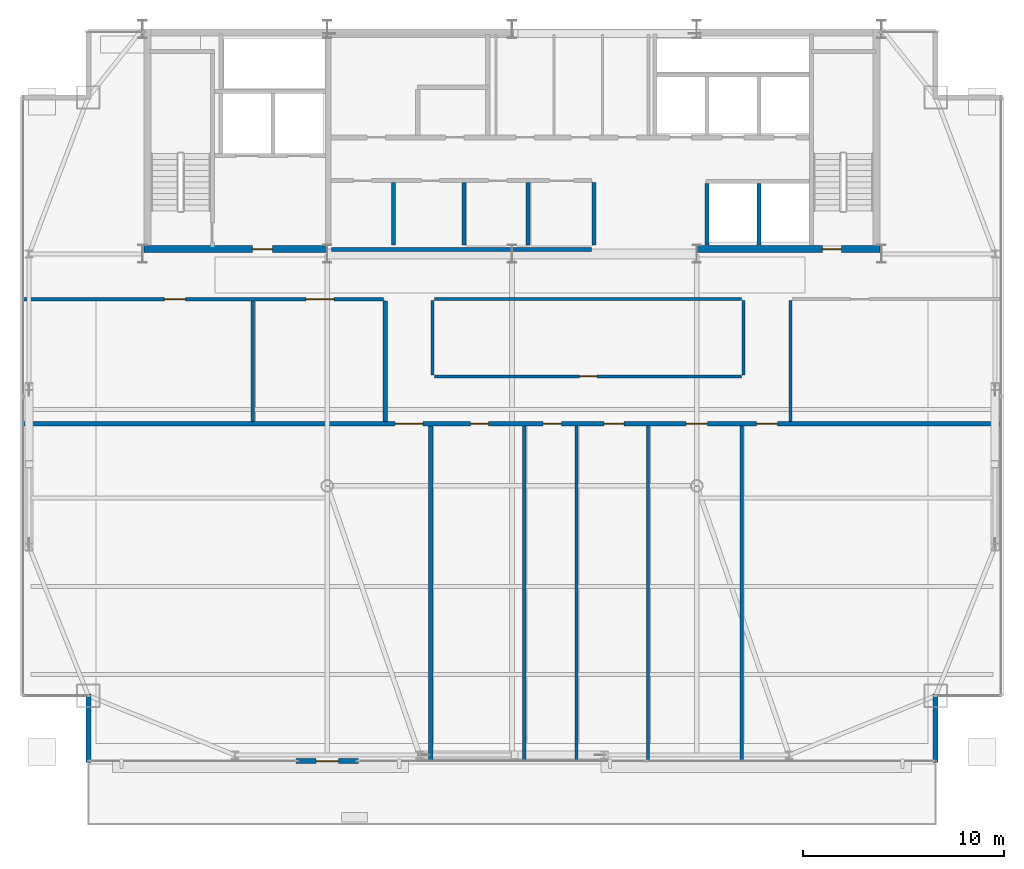
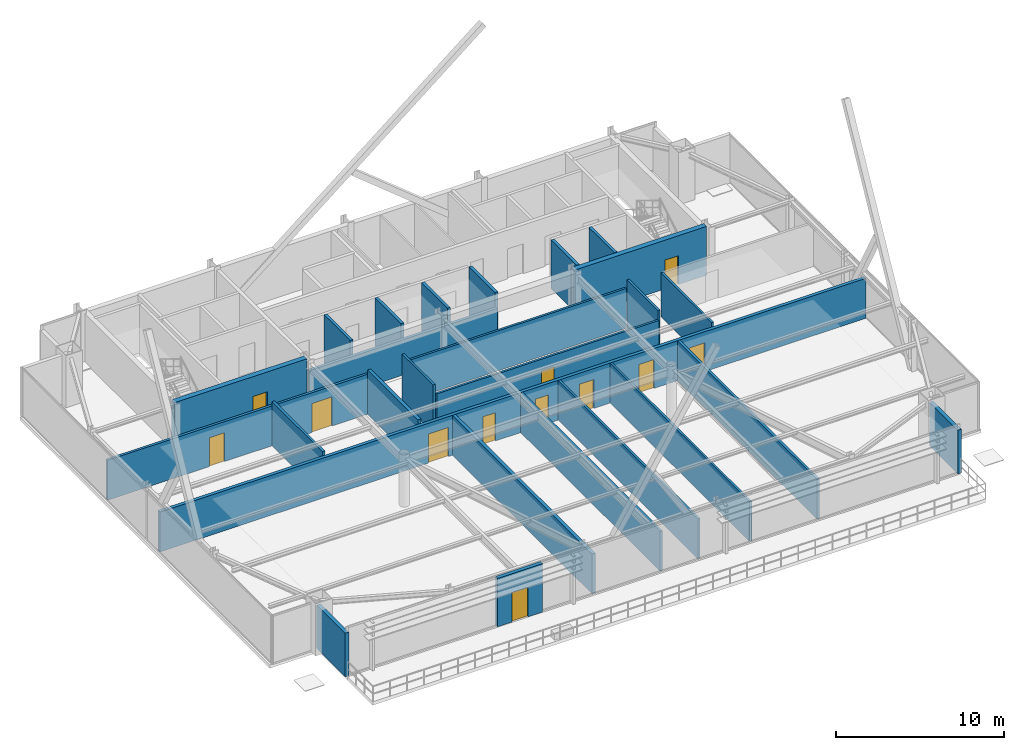
# One storey, part 28 of 33: 26 walls, 12 doors, 12 openings.
"""IFC4 building model written with IfcOpenShell, lengths in metres."""

from ifc_helpers import new_model, si_unit, direction, frame, frame_2d, origin, place, context, subcontext, project, spatial, rectangle, extrude, source, transform, mapped, material, layer, layer_set, type_object, type_shapes, element, fill, save


model = new_model("IFC4")

# Units and contexts
model_context = context("Model", 3, precision=1e-05, world=origin(), true_north=direction((0.0, 1.0)))
body_context = subcontext(model_context, "Body", "Model", "MODEL_VIEW")
ifc_project = project(units=[si_unit("LENGTHUNIT", "METRE"), si_unit("AREAUNIT", "SQUARE_METRE"), si_unit("VOLUMEUNIT", "CUBIC_METRE"), si_unit("PLANEANGLEUNIT", "RADIAN"), si_unit("MASSUNIT", "GRAM", prefix="KILO")], contexts=[model_context])

# Site, building, storey
site_placement = place(None, origin())
site = spatial("IfcSite", under=ifc_project, at=site_placement, CompositionType="ELEMENT")
building_placement = place(site_placement, origin())
building = spatial("IfcBuilding", under=site, at=building_placement, Name="Varnel Quay Broadcast Tower", CompositionType="ELEMENT")
storey_placement = place(building_placement, frame((0.0, 0.0, 199.800048828125)))
storey = spatial("IfcBuildingStorey", under=building, at=storey_placement, Name="L49", CompositionType="ELEMENT", Elevation=199.800048828125)

# Walls
ifc_material_1 = material(Name="Concrete CSA A23.3 C50/60", Category="concrete")
ifc_layer_1 = layer(ifc_material_1, 0.199951171875, Name="Concrete CSA A23.3 C50/60")
ifc_layer_set_1 = layer_set([ifc_layer_1], Name="Concrete CSA A23.3 C50/60")
wall_type_1 = type_object("IfcWallType", Name="Wall_CoreShaftShear200", PredefinedType="SHEAR", material=ifc_layer_set_1)
for number, where, z_axis, x_axis, name in (
    (1, (43.699951171875, 36.050048828125, 0.0), (0.0, 0.0, 1.0), (0.0, 1.0, 0.0), "L49 Express Lift Shaft West Wall"),
    (2, (46.300048828125, 36.050048828125, 0.0), (0.0, 0.0, 1.0), (0.0, 1.0, 0.0), "L49 Express Lift Shaft Divider"),
):
    element("IfcWall", number, at=place(storey_placement, frame(where, z_axis=z_axis, x_axis=x_axis)), inside=storey, type_object=wall_type_1, Name=name, PredefinedType="SHEAR", context=body_context, shape_type="SweptSolid", body=[
        extrude(rectangle(XDim=3.050048828125, YDim=0.199951171875, at=frame_2d((1.52490234375, 0.0))), origin(), (0.0, 0.0, 1.0), 3.550048828125),
    ])

# Wall, opening, door
ifc_layer_2 = layer(ifc_material_1, 0.35009765625, Name="Concrete CSA A23.3 C50/60")
ifc_layer_set_2 = layer_set([ifc_layer_2], Name="Concrete CSA A23.3 C50/60")
wall_type_2 = type_object("IfcWallType", Name="Wall_CoreShearInt350", PredefinedType="SHEAR", material=ifc_layer_set_2)
wall_1_placement = place(storey_placement, frame((15.669921875, 35.844970703125, 0.0), z_axis=(0.0, 0.0, 1.0), x_axis=(1.0, 0.0, 0.0)))
wall_1 = element("IfcWall", 3, at=wall_1_placement, inside=storey, type_object=wall_type_2, Name="L49 South-West Core Shear Wall", PredefinedType="SHEAR", context=body_context, shape_type="SweptSolid", body=[
    extrude(rectangle(XDim=9.130126953125, YDim=0.35009765625, at=frame_2d((4.56494140625, 0.0))), origin(), (0.0, 0.0, 1.0), 3.550048828125),
])
opening_1_placement = place(wall_1_placement, frame((5.39990234375, 0.0, 0.0)))
opening_1 = element("IfcOpeningElement", 4, at=opening_1_placement, cuts=wall_1, Name="Opening D-L49-FFL", PredefinedType="OPENING", context=body_context, shape_type="SweptSolid", body=[
    extrude(rectangle(XDim=1.0, YDim=2.10009765625, at=frame_2d((0.5, 1.050048828125))), frame((0.0, 0.18505859375, 0.0), z_axis=(0.0, -1.0, 0.0), x_axis=(1.0, 0.0, 0.0)), (0.0, 0.0, 1.0), 0.3701171875),
])
ifc_material_2 = material(Name="Insulated Fire-Rated Hollow Steel Door", Category="steel")
door_type_1 = type_object("IfcDoorType", Name="Door_FireLobby1000", OperationType="NOTDEFINED", PredefinedType="DOOR", material=ifc_material_2)
shared_shape_1 = source(origin(), body_context, "Body", "SweptSolid", [
    extrude(rectangle(XDim=1.0, YDim=2.10009765625, at=frame_2d((0.5, 1.050048828125))), frame((0.0, 0.02490234375, 0.0), z_axis=(0.0, -1.0, 0.0), x_axis=(1.0, 0.0, 0.0)), (0.0, 0.0, 1.0), 0.050048828125),
])
type_shapes(door_type_1, [shared_shape_1])
door_1_placement = place(opening_1_placement, origin())
door_1 = element("IfcDoor", 5, at=door_1_placement, inside=storey, type_object=door_type_1, Name="L49 Firefighting Lobby Door", OperationType="SINGLE_SWING_RIGHT", OverallHeight=2.10009765625, OverallWidth=1.0, PredefinedType="DOOR", context=body_context, shape_type="MappedRepresentation", body=[
    mapped(shared_shape_1, transform((0.0, 0.0, 0.0), x_axis=(1.0, 0.0, 0.0), y_axis=(0.0, 1.0, 0.0), z_axis=(0.0, 0.0, 1.0), scale=1.0)),
])
fill(opening_1, door_1)

wall_2_placement = place(storey_placement, frame((43.199951171875, 35.844970703125, 0.0), z_axis=(0.0, 0.0, 1.0), x_axis=(1.0, 0.0, 0.0)))
wall_2 = element("IfcWall", 6, at=wall_2_placement, inside=storey, type_object=wall_type_2, Name="L49 South-East Core Shear Wall", PredefinedType="SHEAR", context=body_context, shape_type="SweptSolid", body=[
    extrude(rectangle(XDim=9.130126953125, YDim=0.35009765625, at=frame_2d((4.56494140625, 0.0))), origin(), (0.0, 0.0, 1.0), 3.550048828125),
])
opening_2_placement = place(wall_2_placement, frame((6.25, 0.0, 0.0)))
opening_2 = element("IfcOpeningElement", 7, at=opening_2_placement, cuts=wall_2, Name="Opening D-L49-S2", PredefinedType="OPENING", context=body_context, shape_type="SweptSolid", body=[
    extrude(rectangle(XDim=0.949951171875, YDim=2.10009765625, at=frame_2d((0.47509765625, 1.050048828125))), frame((0.0, 0.18505859375, 0.0), z_axis=(0.0, -1.0, 0.0), x_axis=(1.0, 0.0, 0.0)), (0.0, 0.0, 1.0), 0.3701171875),
])
door_type_2 = type_object("IfcDoorType", Name="Door_FireStair950", OperationType="NOTDEFINED", PredefinedType="DOOR", material=ifc_material_2)
shared_shape_2 = source(origin(), body_context, "Body", "SweptSolid", [
    extrude(rectangle(XDim=0.949951171875, YDim=2.10009765625, at=frame_2d((0.47509765625, 1.050048828125))), frame((0.0, 0.02490234375, 0.0), z_axis=(0.0, -1.0, 0.0), x_axis=(1.0, 0.0, 0.0)), (0.0, 0.0, 1.0), 0.050048828125),
])
type_shapes(door_type_2, [shared_shape_2])
door_2_placement = place(opening_2_placement, origin())
door_2 = element("IfcDoor", 8, at=door_2_placement, inside=storey, type_object=door_type_2, Name="L49 Stair 2 Fire Door", OperationType="SINGLE_SWING_LEFT", OverallHeight=2.10009765625, OverallWidth=0.949951171875, PredefinedType="DOOR", context=body_context, shape_type="MappedRepresentation", body=[
    mapped(shared_shape_2, transform((0.0, 0.0, 0.0), x_axis=(1.0, 0.0, 0.0), y_axis=(0.0, 1.0, 0.0), z_axis=(0.0, 0.0, 1.0), scale=1.0)),
])
fill(opening_2, door_2)

ifc_material_3 = material(Name="Precast Architectural Concrete C40/50", Category="concrete")
ifc_layer_3 = layer(ifc_material_3, 0.25, Name="Precast Architectural Concrete C40/50")
ifc_layer_set_3 = layer_set([ifc_layer_3], Name="Precast Architectural Concrete C40/50")
wall_type_3 = type_object("IfcWallType", Name="Wall_ExtTerrace250", PredefinedType="SOLIDWALL", material=ifc_layer_set_3)
wall_3_placement = place(storey_placement, frame((23.25, 10.35009765625, 0.0), z_axis=(0.0, 0.0, 1.0), x_axis=(1.0, 0.0, 0.0)))
wall_3 = element("IfcWall", 9, at=wall_3_placement, inside=storey, type_object=wall_type_3, Name="L49 Terrace Access Wall 1", PredefinedType="SOLIDWALL", context=body_context, shape_type="SweptSolid", body=[
    extrude(rectangle(XDim=3.10009765625, YDim=0.25, at=frame_2d((1.550048828125, 0.0))), origin(), (0.0, 0.0, 1.0), 3.530029296875),
])
opening_3_placement = place(wall_3_placement, frame((1.0, 0.0, 0.0)))
opening_3 = element("IfcOpeningElement", 10, at=opening_3_placement, cuts=wall_3, Name="Opening TD-491", PredefinedType="OPENING", context=body_context, shape_type="SweptSolid", body=[
    extrude(rectangle(XDim=1.10009765625, YDim=2.14990234375, at=frame_2d((0.550048828125, 1.074951171875))), frame((0.0, 0.135009765625, 0.0), z_axis=(0.0, -1.0, 0.0), x_axis=(1.0, 0.0, 0.0)), (0.0, 0.0, 1.0), 0.27001953125),
])
ifc_material_4 = material(Name="Anodised Bronze Aluminium 6063-T6", Category="aluminium")
door_type_3 = type_object("IfcDoorType", Name="Door_ExtTerrace1100", OperationType="NOTDEFINED", PredefinedType="DOOR", material=ifc_material_4)
shared_shape_3 = source(origin(), body_context, "Body", "SweptSolid", [
    extrude(rectangle(XDim=1.10009765625, YDim=2.14990234375, at=frame_2d((0.550048828125, 1.074951171875))), frame((0.0, 0.02490234375, 0.0), z_axis=(0.0, -1.0, 0.0), x_axis=(1.0, 0.0, 0.0)), (0.0, 0.0, 1.0), 0.050048828125),
])
type_shapes(door_type_3, [shared_shape_3])
door_3_placement = place(opening_3_placement, frame((1.10009765625, 0.0, 0.0), z_axis=(0.0, 0.0, 1.0), x_axis=(-1.0, 0.0, 0.0)))
door_3 = element("IfcDoor", 11, at=door_3_placement, inside=storey, type_object=door_type_3, Name="L49 Terrace Door TD-491", OperationType="SINGLE_SWING_LEFT", OverallHeight=2.14990234375, OverallWidth=1.10009765625, PredefinedType="DOOR", context=body_context, shape_type="MappedRepresentation", body=[
    mapped(shared_shape_3, transform((0.0, 0.0, 0.0), x_axis=(1.0, 0.0, 0.0), y_axis=(0.0, 1.0, 0.0), z_axis=(0.0, 0.0, 1.0), scale=1.0)),
])
fill(opening_3, door_3)

# Walls
for number, where, z_axis, x_axis, name in (
    (12, (12.89990234375, 10.280029296875, 0.0), (0.0, 0.0, 1.0), (0.0, 1.0, 0.0), "L49 Mega-Column Notch Cladding Wall NSW2"),
    (13, (55.10009765625, 10.280029296875, 0.0), (0.0, 0.0, 1.0), (0.0, 1.0, 0.0), "L49 Mega-Column Notch Cladding Wall NSE2"),
):
    element("IfcWall", number, at=place(storey_placement, frame(where, z_axis=z_axis, x_axis=x_axis)), inside=storey, type_object=wall_type_3, Name=name, PredefinedType="SOLIDWALL", context=body_context, shape_type="SweptSolid", body=[
        extrude(rectangle(XDim=3.39990234375, YDim=0.25, at=frame_2d((1.699951171875, 0.0))), origin(), (0.0, 0.0, 1.0), 3.1708984375),
    ])
ifc_material_5 = material(Name="Concrete Blockwork Fire Enclosure C40/50", Category="masonry")
ifc_layer_4 = layer(ifc_material_5, 0.199951171875, Name="Concrete Blockwork Fire Enclosure C40/50")
ifc_layer_set_4 = layer_set([ifc_layer_4], Name="Concrete Blockwork Fire Enclosure C40/50")
wall_type_4 = type_object("IfcWallType", Name="Wall_FireShaft200", PredefinedType="SOLIDWALL", material=ifc_layer_set_4)
wall_4_placement = place(storey_placement, frame((25.0, 35.824951171875, 0.0), z_axis=(0.0, 0.0, 1.0), x_axis=(1.0, 0.0, 0.0)))
element("IfcWall", 14, at=wall_4_placement, inside=storey, type_object=wall_type_4, Name="L49 Accessible Universal Washroom Partition 1", PredefinedType="SOLIDWALL", context=body_context, shape_type="SweptSolid", body=[
    extrude(rectangle(XDim=12.949951171875, YDim=0.199951171875, at=frame_2d((6.47509765625, 0.0))), origin(), (0.0, 0.0, 1.0), 2.574951171875),
])
for number, where, z_axis, x_axis, name in (
    (15, (34.800048828125, 36.050048828125, 0.0), (0.0, 0.0, 1.0), (0.0, 1.0, 0.0), "L49 Broadcast First-Aid & Quiet Room Partition 5"),
    (16, (38.074951171875, 36.050048828125, 0.0), (0.0, 0.0, 1.0), (0.0, 1.0, 0.0), "L49 Zone Lighting Dimmer Room Partition 6"),
):
    element("IfcWall", number, at=place(storey_placement, frame(where, z_axis=z_axis, x_axis=x_axis)), inside=storey, type_object=wall_type_4, Name=name, PredefinedType="SOLIDWALL", context=body_context, shape_type="SweptSolid", body=[
        extrude(rectangle(XDim=3.099853515625, YDim=0.199951171875, at=frame_2d((1.5498046875, 0.0))), origin(), (0.0, 0.0, 1.0), 3.530029296875),
    ])
ifc_material_6 = material(Name="Steel-Stud Fire-Rated Acoustic Gypsum Partition Assembly", Category="steel")
ifc_layer_5 = layer(ifc_material_6, 0.139892578125, Name="Steel-Stud Fire-Rated Acoustic Gypsum Partition Assembly")
ifc_layer_set_5 = layer_set([ifc_layer_5], Name="Steel-Stud Fire-Rated Acoustic Gypsum Partition Assembly")
wall_type_5 = type_object("IfcWallType", Name="Wall_Partition140", PredefinedType="PARTITIONING", material=ifc_layer_set_5)
wall_5_placement = place(storey_placement, frame((40.77001953125, 10.3798828125, 0.0), z_axis=(0.0, 0.0, 1.0), x_axis=(0.0, 1.0, 0.0)))
element("IfcWall", 17, at=wall_5_placement, inside=storey, type_object=wall_type_5, Name="L49 Reading Lounge 4 Partition 11", PredefinedType="PARTITIONING", context=body_context, shape_type="SweptSolid", body=[
    extrude(rectangle(XDim=16.6572265625, YDim=0.139892578125, at=frame_2d((8.32861328125, 0.0))), origin(), (0.0, 0.0, 1.0), 2.907958984375),
])
ifc_layer_6 = layer(ifc_material_6, 0.14990234375, Name="Steel-Stud Fire-Rated Acoustic Gypsum Partition Assembly")
ifc_layer_set_6 = layer_set([ifc_layer_6], Name="Steel-Stud Fire-Rated Acoustic Gypsum Partition Assembly")
wall_type_6 = type_object("IfcWallType", Name="Wall_Partition150", PredefinedType="PARTITIONING", material=ifc_layer_set_6)
for number, where, z_axis, x_axis, name in (
    (18, (34.610107421875, 10.3798828125, 0.0), (0.0, 0.0, 1.0), (0.0, 1.0, 0.0), "L49 Catering Kitchen 2 Partition 9"),
    (19, (37.199951171875, 10.3798828125, 0.0), (0.0, 0.0, 1.0), (0.0, 1.0, 0.0), "L49 Bureau Office 3 Partition 10"),
):
    element("IfcWall", number, at=place(storey_placement, frame(where, z_axis=z_axis, x_axis=x_axis)), inside=storey, type_object=wall_type_6, Name=name, PredefinedType="PARTITIONING", context=body_context, shape_type="SweptSolid", body=[
        extrude(rectangle(XDim=16.6572265625, YDim=0.14990234375, at=frame_2d((8.32861328125, 0.0))), origin(), (0.0, 0.0, 1.0), 2.907958984375),
    ])

# Wall, opening, door
wall_6_placement = place(storey_placement, frame((30.14990234375, 29.5, 0.0), z_axis=(0.0, 0.0, 1.0), x_axis=(1.0, 0.0, 0.0)))
wall_6 = element("IfcWall", 20, at=wall_6_placement, inside=storey, type_object=wall_type_6, Name="L49 Catering Kitchen 9 Partition 16", PredefinedType="PARTITIONING", context=body_context, shape_type="SweptSolid", body=[
    extrude(rectangle(XDim=15.280029296875, YDim=0.14990234375, at=frame_2d((7.64013671875, 0.0))), origin(), (0.0, 0.0, 1.0), 2.907958984375),
])
opening_4_placement = place(wall_6_placement, frame((7.199951171875, 0.0, 0.0)))
opening_4 = element("IfcOpeningElement", 21, at=opening_4_placement, cuts=wall_6, Name="Opening D-L49-13", PredefinedType="OPENING", context=body_context, shape_type="SweptSolid", body=[
    extrude(rectangle(XDim=0.8798828125, YDim=2.06005859375, at=frame_2d((0.43994140625, 1.030029296875))), frame((0.0, 0.0849609375, 0.0), z_axis=(0.0, -1.0, 0.0), x_axis=(1.0, 0.0, 0.0)), (0.0, 0.0, 1.0), 0.169921875),
])
ifc_material_7 = material(Name="Solid-Core Fire-Rated Acoustic Oak Veneer Door", Category="wood")
door_type_4 = type_object("IfcDoorType", Name="Door_Booth880", OperationType="NOTDEFINED", PredefinedType="DOOR", material=ifc_material_7)
shared_shape_4 = source(origin(), body_context, "Body", "SweptSolid", [
    extrude(rectangle(XDim=0.8798828125, YDim=2.06005859375, at=frame_2d((0.43994140625, 1.030029296875))), frame((0.0, 0.02490234375, 0.0), z_axis=(0.0, -1.0, 0.0), x_axis=(1.0, 0.0, 0.0)), (0.0, 0.0, 1.0), 0.050048828125),
])
type_shapes(door_type_4, [shared_shape_4])
door_4_placement = place(opening_4_placement, origin())
door_4 = element("IfcDoor", 22, at=door_4_placement, inside=storey, type_object=door_type_4, Name="L49 Catering Kitchen 9 Door D-L49-13", OperationType="SINGLE_SWING_LEFT", OverallHeight=2.06005859375, OverallWidth=0.8798828125, PredefinedType="DOOR", context=body_context, shape_type="MappedRepresentation", body=[
    mapped(shared_shape_4, transform((0.0, 0.0, 0.0), x_axis=(1.0, 0.0, 0.0), y_axis=(0.0, 1.0, 0.0), z_axis=(0.0, 0.0, 1.0), scale=1.0)),
])
fill(opening_4, door_4)

# Walls
wall_7_placement = place(storey_placement, frame((45.530029296875, 29.574951171875, 0.0), z_axis=(0.0, 0.0, 1.0), x_axis=(0.0, 1.0, 0.0)))
element("IfcWall", 23, at=wall_7_placement, inside=storey, type_object=wall_type_6, Name="L49 Catering Kitchen 9 Partition 17", PredefinedType="PARTITIONING", context=body_context, shape_type="SweptSolid", body=[
    extrude(rectangle(XDim=3.699951171875, YDim=0.14990234375, at=frame_2d((1.85009765625, 0.0))), origin(), (0.0, 0.0, 1.0), 3.530029296875),
])
wall_8_placement = place(storey_placement, frame((30.14990234375, 33.35009765625, 0.0), z_axis=(0.0, 0.0, 1.0), x_axis=(1.0, 0.0, 0.0)))
element("IfcWall", 24, at=wall_8_placement, inside=storey, type_object=wall_type_6, Name="L49 Catering Kitchen 9 Partition 18", PredefinedType="PARTITIONING", context=body_context, shape_type="SweptSolid", body=[
    extrude(rectangle(XDim=15.280029296875, YDim=0.14990234375, at=frame_2d((7.64013671875, 0.0))), origin(), (0.0, 0.0, 1.0), 2.907958984375),
])
wall_9_placement = place(storey_placement, frame((30.050048828125, 29.574951171875, 0.0), z_axis=(0.0, 0.0, 1.0), x_axis=(0.0, 1.0, 0.0)))
element("IfcWall", 25, at=wall_9_placement, inside=storey, type_object=wall_type_6, Name="L49 Catering Kitchen 9 Partition 19", PredefinedType="PARTITIONING", context=body_context, shape_type="SweptSolid", body=[
    extrude(rectangle(XDim=3.699951171875, YDim=0.14990234375, at=frame_2d((1.85009765625, 0.0))), origin(), (0.0, 0.0, 1.0), 3.530029296875),
])
wall_10_placement = place(storey_placement, frame((47.8798828125, 27.261962890625, 0.0), z_axis=(0.0, 0.0, 1.0), x_axis=(0.0, 1.0, 0.0)))
element("IfcWall", 26, at=wall_10_placement, inside=storey, type_object=wall_type_6, Name="L49 Bureau Office 10 Partition 21", PredefinedType="PARTITIONING", context=body_context, shape_type="SweptSolid", body=[
    extrude(rectangle(XDim=6.012939453125, YDim=0.14990234375, at=frame_2d((3.00634765625, 0.0))), origin(), (0.0, 0.0, 1.0), 3.221923828125),
])
ifc_layer_7 = layer(ifc_material_6, 0.175048828125, Name="Steel-Stud Fire-Rated Acoustic Gypsum Partition Assembly")
ifc_layer_set_7 = layer_set([ifc_layer_7], Name="Steel-Stud Fire-Rated Acoustic Gypsum Partition Assembly")
wall_type_7 = type_object("IfcWallType", Name="Wall_Partition175", PredefinedType="PARTITIONING", material=ifc_layer_set_7)
wall_11_placement = place(storey_placement, frame((45.429931640625, 10.3798828125, 0.0), z_axis=(0.0, 0.0, 1.0), x_axis=(0.0, 1.0, 0.0)))
element("IfcWall", 27, at=wall_11_placement, inside=storey, type_object=wall_type_7, Name="L49 Broadcast Seminar Room 5 Partition 12", PredefinedType="PARTITIONING", context=body_context, shape_type="SweptSolid", body=[
    extrude(rectangle(XDim=16.6572265625, YDim=0.175048828125, at=frame_2d((8.32861328125, 0.0))), origin(), (0.0, 0.0, 1.0), 2.907958984375),
])
wall_12_placement = place(storey_placement, frame((21.090087890625, 27.261962890625, 0.0), z_axis=(0.0, 0.0, 1.0), x_axis=(0.0, 1.0, 0.0)))
element("IfcWall", 28, at=wall_12_placement, inside=storey, type_object=wall_type_7, Name="L49 Editorial Huddle Room 7 Partition 13", PredefinedType="PARTITIONING", context=body_context, shape_type="SweptSolid", body=[
    extrude(rectangle(XDim=6.0009765625, YDim=0.175048828125, at=frame_2d((3.00048828125, 0.0))), origin(), (0.0, 0.0, 1.0), 3.221923828125),
])

# Wall, openings, doors
wall_13_placement = place(storey_placement, frame((9.679931640625, 33.35009765625, 0.0), z_axis=(0.0, 0.0, 1.0), x_axis=(1.0, 0.0, 0.0)))
wall_13 = element("IfcWall", 29, at=wall_13_placement, inside=storey, type_object=wall_type_7, Name="L49 Editorial Huddle Room 7 Partition 14", PredefinedType="PARTITIONING", context=body_context, shape_type="SweptSolid", body=[
    extrude(rectangle(XDim=17.920166015625, YDim=0.175048828125, at=frame_2d((8.9599609375, 0.0))), origin(), (0.0, 0.0, 1.0), 2.907958984375),
])
opening_5_placement = place(wall_13_placement, frame((7.014892578125, 0.0, 0.0)))
opening_5 = element("IfcOpeningElement", 30, at=opening_5_placement, cuts=wall_13, Name="Opening D-L49-11", PredefinedType="OPENING", context=body_context, shape_type="SweptSolid", body=[
    extrude(rectangle(XDim=1.050048828125, YDim=2.10009765625, at=frame_2d((0.52490234375, 1.050048828125))), frame((0.0, 0.09765625, 0.0), z_axis=(0.0, -1.0, 0.0), x_axis=(1.0, 0.0, 0.0)), (0.0, 0.0, 1.0), 0.195068359375),
])
opening_6_placement = place(wall_13_placement, frame((14.06494140625, 0.0, 0.0)))
opening_6 = element("IfcOpeningElement", 31, at=opening_6_placement, cuts=wall_13, Name="Opening D-L49-12", PredefinedType="OPENING", context=body_context, shape_type="SweptSolid", body=[
    extrude(rectangle(XDim=1.39990234375, YDim=2.1201171875, at=frame_2d((0.699951171875, 1.06005859375))), frame((0.0, 0.09765625, 0.0), z_axis=(0.0, -1.0, 0.0), x_axis=(1.0, 0.0, 0.0)), (0.0, 0.0, 1.0), 0.195068359375),
])
door_type_5 = type_object("IfcDoorType", Name="Door_Meeting1050", OperationType="NOTDEFINED", PredefinedType="DOOR", material=ifc_material_7)
shared_shape_5 = source(origin(), body_context, "Body", "SweptSolid", [
    extrude(rectangle(XDim=1.050048828125, YDim=2.10009765625, at=frame_2d((0.52490234375, 1.050048828125))), frame((0.0, 0.02490234375, 0.0), z_axis=(0.0, -1.0, 0.0), x_axis=(1.0, 0.0, 0.0)), (0.0, 0.0, 1.0), 0.050048828125),
])
type_shapes(door_type_5, [shared_shape_5])
door_5_placement = place(opening_5_placement, frame((1.050048828125, 0.0, 0.0), z_axis=(0.0, 0.0, 1.0), x_axis=(-1.0, 0.0, 0.0)))
door_5 = element("IfcDoor", 32, at=door_5_placement, inside=storey, type_object=door_type_5, Name="L49 Editorial Huddle Room 7 Door D-L49-11", OperationType="SINGLE_SWING_RIGHT", OverallHeight=2.10009765625, OverallWidth=1.050048828125, PredefinedType="DOOR", context=body_context, shape_type="MappedRepresentation", body=[
    mapped(shared_shape_5, transform((0.0, 0.0, 0.0), x_axis=(1.0, 0.0, 0.0), y_axis=(0.0, 1.0, 0.0), z_axis=(0.0, 0.0, 1.0), scale=1.0)),
])
fill(opening_5, door_5)
door_type_6 = type_object("IfcDoorType", Name="Door_Gallery1400", OperationType="DOUBLE_DOOR_SINGLE_SWING", PredefinedType="DOOR", material=ifc_material_7)
shared_shape_6 = source(origin(), body_context, "Body", "SweptSolid", [
    extrude(rectangle(XDim=1.39990234375, YDim=2.1201171875, at=frame_2d((0.699951171875, 1.06005859375))), frame((0.0, 0.02490234375, 0.0), z_axis=(0.0, -1.0, 0.0), x_axis=(1.0, 0.0, 0.0)), (0.0, 0.0, 1.0), 0.050048828125),
])
type_shapes(door_type_6, [shared_shape_6])
door_6_placement = place(opening_6_placement, frame((1.39990234375, 0.0, 0.0), z_axis=(0.0, 0.0, 1.0), x_axis=(-1.0, 0.0, 0.0)))
door_6 = element("IfcDoor", 33, at=door_6_placement, inside=storey, type_object=door_type_6, Name="L49 Journalism Training Studio 8 Door D-L49-12", OperationType="DOUBLE_DOOR_SINGLE_SWING", OverallHeight=2.1201171875, OverallWidth=1.39990234375, PredefinedType="DOOR", context=body_context, shape_type="MappedRepresentation", body=[
    mapped(shared_shape_6, transform((0.0, 0.0, 0.0), x_axis=(1.0, 0.0, 0.0), y_axis=(0.0, 1.0, 0.0), z_axis=(0.0, 0.0, 1.0), scale=1.0)),
])
fill(opening_6, door_6)

# Wall
ifc_layer_8 = layer(ifc_material_6, 0.22509765625, Name="Steel-Stud Fire-Rated Acoustic Gypsum Partition Assembly")
ifc_layer_set_8 = layer_set([ifc_layer_8], Name="Steel-Stud Fire-Rated Acoustic Gypsum Partition Assembly")
wall_type_8 = type_object("IfcWallType", Name="Wall_Partition225", PredefinedType="PARTITIONING", material=ifc_layer_set_8)
wall_14_placement = place(storey_placement, frame((29.949951171875, 10.3798828125, 0.0), z_axis=(0.0, 0.0, 1.0), x_axis=(0.0, 1.0, 0.0)))
element("IfcWall", 34, at=wall_14_placement, inside=storey, type_object=wall_type_8, Name="L49 Journalism Training Studio 1 Partition 7", PredefinedType="PARTITIONING", context=body_context, shape_type="SweptSolid", body=[
    extrude(rectangle(XDim=16.6572265625, YDim=0.22509765625, at=frame_2d((8.32861328125, 0.0))), origin(), (0.0, 0.0, 1.0), 2.907958984375),
])

# Wall, openings, doors
wall_15_placement = place(storey_placement, frame((9.679931640625, 27.14990234375, 0.0), z_axis=(0.0, 0.0, 1.0), x_axis=(1.0, 0.0, 0.0)))
wall_15 = element("IfcWall", 35, at=wall_15_placement, inside=storey, type_object=wall_type_8, Name="L49 Journalism Training Studio 1 Partition 8", PredefinedType="PARTITIONING", context=body_context, shape_type="SweptSolid", body=[
    extrude(rectangle(XDim=48.64013671875, YDim=0.22509765625, at=frame_2d((24.320068359375, 0.0))), origin(), (0.0, 0.0, 1.0), 2.907958984375),
])
opening_7_placement = place(wall_15_placement, frame((18.4951171875, 0.0, 0.0)))
opening_7 = element("IfcOpeningElement", 36, at=opening_7_placement, cuts=wall_15, Name="Opening D-L49-05", PredefinedType="OPENING", context=body_context, shape_type="SweptSolid", body=[
    extrude(rectangle(XDim=1.39990234375, YDim=2.1201171875, at=frame_2d((0.699951171875, 1.06005859375))), frame((0.0, 0.12255859375, 0.0), z_axis=(0.0, -1.0, 0.0), x_axis=(1.0, 0.0, 0.0)), (0.0, 0.0, 1.0), 0.2451171875),
])
opening_8_placement = place(wall_15_placement, frame((22.260009765625, 0.0, 0.0)))
opening_8 = element("IfcOpeningElement", 37, at=opening_8_placement, cuts=wall_15, Name="Opening D-L49-06", PredefinedType="OPENING", context=body_context, shape_type="SweptSolid", body=[
    extrude(rectangle(XDim=0.8798828125, YDim=2.06005859375, at=frame_2d((0.43994140625, 1.030029296875))), frame((0.0, 0.12255859375, 0.0), z_axis=(0.0, -1.0, 0.0), x_axis=(1.0, 0.0, 0.0)), (0.0, 0.0, 1.0), 0.2451171875),
])
opening_9_placement = place(wall_15_placement, frame((25.864990234375, 0.0, 0.0)))
opening_9 = element("IfcOpeningElement", 38, at=opening_9_placement, cuts=wall_15, Name="Opening D-L49-07", PredefinedType="OPENING", context=body_context, shape_type="SweptSolid", body=[
    extrude(rectangle(XDim=0.919921875, YDim=2.080078125, at=frame_2d((0.4599609375, 1.0400390625))), frame((0.0, 0.12255859375, 0.0), z_axis=(0.0, -1.0, 0.0), x_axis=(1.0, 0.0, 0.0)), (0.0, 0.0, 1.0), 0.2451171875),
])
opening_10_placement = place(wall_15_placement, frame((28.905029296875, 0.0, 0.0)))
opening_10 = element("IfcOpeningElement", 39, at=opening_10_placement, cuts=wall_15, Name="Opening D-L49-08", PredefinedType="OPENING", context=body_context, shape_type="SweptSolid", body=[
    extrude(rectangle(XDim=1.0, YDim=2.10009765625, at=frame_2d((0.5, 1.050048828125))), frame((0.0, 0.12255859375, 0.0), z_axis=(0.0, -1.0, 0.0), x_axis=(1.0, 0.0, 0.0)), (0.0, 0.0, 1.0), 0.2451171875),
])
opening_11_placement = place(wall_15_placement, frame((32.9951171875, 0.0, 0.0)))
opening_11 = element("IfcOpeningElement", 40, at=opening_11_placement, cuts=wall_15, Name="Opening D-L49-09", PredefinedType="OPENING", context=body_context, shape_type="SweptSolid", body=[
    extrude(rectangle(XDim=1.050048828125, YDim=2.10009765625, at=frame_2d((0.52490234375, 1.050048828125))), frame((0.0, 0.12255859375, 0.0), z_axis=(0.0, -1.0, 0.0), x_axis=(1.0, 0.0, 0.0)), (0.0, 0.0, 1.0), 0.2451171875),
])
opening_12_placement = place(wall_15_placement, frame((36.5, 0.0, 0.0)))
opening_12 = element("IfcOpeningElement", 41, at=opening_12_placement, cuts=wall_15, Name="Opening D-L49-10", PredefinedType="OPENING", context=body_context, shape_type="SweptSolid", body=[
    extrude(rectangle(XDim=1.050048828125, YDim=2.10009765625, at=frame_2d((0.52490234375, 1.050048828125))), frame((0.0, 0.12255859375, 0.0), z_axis=(0.0, -1.0, 0.0), x_axis=(1.0, 0.0, 0.0)), (0.0, 0.0, 1.0), 0.2451171875),
])
door_7_placement = place(opening_8_placement, frame((0.8798828125, 0.0, 0.0), z_axis=(0.0, 0.0, 1.0), x_axis=(-1.0, 0.0, 0.0)))
door_7 = element("IfcDoor", 42, at=door_7_placement, inside=storey, type_object=door_type_4, Name="L49 Catering Kitchen 2 Door D-L49-06", OperationType="SINGLE_SWING_LEFT", OverallHeight=2.06005859375, OverallWidth=0.8798828125, PredefinedType="DOOR", context=body_context, shape_type="MappedRepresentation", body=[
    mapped(shared_shape_4, transform((0.0, 0.0, 0.0), x_axis=(1.0, 0.0, 0.0), y_axis=(0.0, 1.0, 0.0), z_axis=(0.0, 0.0, 1.0), scale=1.0)),
])
fill(opening_8, door_7)
door_type_7 = type_object("IfcDoorType", Name="Door_Office920", OperationType="NOTDEFINED", PredefinedType="DOOR", material=ifc_material_7)
shared_shape_7 = source(origin(), body_context, "Body", "SweptSolid", [
    extrude(rectangle(XDim=0.919921875, YDim=2.080078125, at=frame_2d((0.4599609375, 1.0400390625))), frame((0.0, 0.02490234375, 0.0), z_axis=(0.0, -1.0, 0.0), x_axis=(1.0, 0.0, 0.0)), (0.0, 0.0, 1.0), 0.050048828125),
])
type_shapes(door_type_7, [shared_shape_7])
door_8_placement = place(opening_9_placement, frame((0.919921875, 0.0, 0.0), z_axis=(0.0, 0.0, 1.0), x_axis=(-1.0, 0.0, 0.0)))
door_8 = element("IfcDoor", 43, at=door_8_placement, inside=storey, type_object=door_type_7, Name="L49 Bureau Office 3 Door D-L49-07", OperationType="SINGLE_SWING_RIGHT", OverallHeight=2.080078125, OverallWidth=0.919921875, PredefinedType="DOOR", context=body_context, shape_type="MappedRepresentation", body=[
    mapped(shared_shape_7, transform((0.0, 0.0, 0.0), x_axis=(1.0, 0.0, 0.0), y_axis=(0.0, 1.0, 0.0), z_axis=(0.0, 0.0, 1.0), scale=1.0)),
])
fill(opening_9, door_8)
door_type_8 = type_object("IfcDoorType", Name="Door_Exec1000", OperationType="NOTDEFINED", PredefinedType="DOOR", material=ifc_material_7)
shared_shape_8 = source(origin(), body_context, "Body", "SweptSolid", [
    extrude(rectangle(XDim=1.0, YDim=2.10009765625, at=frame_2d((0.5, 1.050048828125))), frame((0.0, 0.02490234375, 0.0), z_axis=(0.0, -1.0, 0.0), x_axis=(1.0, 0.0, 0.0)), (0.0, 0.0, 1.0), 0.050048828125),
])
type_shapes(door_type_8, [shared_shape_8])
door_9_placement = place(opening_10_placement, frame((1.0, 0.0, 0.0), z_axis=(0.0, 0.0, 1.0), x_axis=(-1.0, 0.0, 0.0)))
door_9 = element("IfcDoor", 44, at=door_9_placement, inside=storey, type_object=door_type_8, Name="L49 Reading Lounge 4 Door D-L49-08", OperationType="SINGLE_SWING_LEFT", OverallHeight=2.10009765625, OverallWidth=1.0, PredefinedType="DOOR", context=body_context, shape_type="MappedRepresentation", body=[
    mapped(shared_shape_8, transform((0.0, 0.0, 0.0), x_axis=(1.0, 0.0, 0.0), y_axis=(0.0, 1.0, 0.0), z_axis=(0.0, 0.0, 1.0), scale=1.0)),
])
fill(opening_10, door_9)
door_10_placement = place(opening_11_placement, frame((1.050048828125, 0.0, 0.0), z_axis=(0.0, 0.0, 1.0), x_axis=(-1.0, 0.0, 0.0)))
door_10 = element("IfcDoor", 45, at=door_10_placement, inside=storey, type_object=door_type_5, Name="L49 Broadcast Seminar Room 5 Door D-L49-09", OperationType="SINGLE_SWING_RIGHT", OverallHeight=2.10009765625, OverallWidth=1.050048828125, PredefinedType="DOOR", context=body_context, shape_type="MappedRepresentation", body=[
    mapped(shared_shape_5, transform((0.0, 0.0, 0.0), x_axis=(1.0, 0.0, 0.0), y_axis=(0.0, 1.0, 0.0), z_axis=(0.0, 0.0, 1.0), scale=1.0)),
])
fill(opening_11, door_10)
door_11_placement = place(opening_12_placement, frame((1.050048828125, 0.0, 0.0), z_axis=(0.0, 0.0, 1.0), x_axis=(-1.0, 0.0, 0.0)))
door_11 = element("IfcDoor", 46, at=door_11_placement, inside=storey, type_object=door_type_5, Name="L49 Press Briefing Room 6 Door D-L49-10", OperationType="SINGLE_SWING_LEFT", OverallHeight=2.10009765625, OverallWidth=1.050048828125, PredefinedType="DOOR", context=body_context, shape_type="MappedRepresentation", body=[
    mapped(shared_shape_5, transform((0.0, 0.0, 0.0), x_axis=(1.0, 0.0, 0.0), y_axis=(0.0, 1.0, 0.0), z_axis=(0.0, 0.0, 1.0), scale=1.0)),
])
fill(opening_12, door_11)
door_12_placement = place(opening_7_placement, frame((1.39990234375, 0.0, 0.0), z_axis=(0.0, 0.0, 1.0), x_axis=(-1.0, 0.0, 0.0)))
door_12 = element("IfcDoor", 47, at=door_12_placement, inside=storey, type_object=door_type_6, Name="L49 Journalism Training Studio 1 Door D-L49-05", OperationType="DOUBLE_DOOR_SINGLE_SWING", OverallHeight=2.1201171875, OverallWidth=1.39990234375, PredefinedType="DOOR", context=body_context, shape_type="MappedRepresentation", body=[
    mapped(shared_shape_6, transform((0.0, 0.0, 0.0), x_axis=(1.0, 0.0, 0.0), y_axis=(0.0, 1.0, 0.0), z_axis=(0.0, 0.0, 1.0), scale=1.0)),
])
fill(opening_7, door_12)

# Walls
wall_16_placement = place(storey_placement, frame((27.699951171875, 27.261962890625, 0.0), z_axis=(0.0, 0.0, 1.0), x_axis=(0.0, 1.0, 0.0)))
element("IfcWall", 48, at=wall_16_placement, inside=storey, type_object=wall_type_8, Name="L49 Journalism Training Studio 8 Partition 15", PredefinedType="PARTITIONING", context=body_context, shape_type="SweptSolid", body=[
    extrude(rectangle(XDim=6.0009765625, YDim=0.22509765625, at=frame_2d((3.00048828125, 0.0))), origin(), (0.0, 0.0, 1.0), 3.221923828125),
])
ifc_material_8 = material(Name="Fire-Rated Moisture-Resistant Plumbing Chase Partition")
ifc_layer_9 = layer(ifc_material_8, 0.199951171875, Name="Fire-Rated Moisture-Resistant Plumbing Chase Partition")
ifc_layer_set_9 = layer_set([ifc_layer_9], Name="Fire-Rated Moisture-Resistant Plumbing Chase Partition")
wall_type_9 = type_object("IfcWallType", Name="Wall_Plumbing200", PredefinedType="PLUMBINGWALL", material=ifc_layer_set_9)
for number, where, z_axis, x_axis, name in (
    (49, (28.10009765625, 36.050048828125, 0.0), (0.0, 0.0, 1.0), (0.0, 1.0, 0.0), "L49 Accessible Universal Washroom Partition 2"),
    (50, (31.60009765625, 36.050048828125, 0.0), (0.0, 0.0, 1.0), (0.0, 1.0, 0.0), "L49 Staff Washroom Block Partition 4"),
):
    element("IfcWall", number, at=place(storey_placement, frame(where, z_axis=z_axis, x_axis=x_axis)), inside=storey, type_object=wall_type_9, Name=name, PredefinedType="PLUMBINGWALL", context=body_context, shape_type="SweptSolid", body=[
        extrude(rectangle(XDim=3.099853515625, YDim=0.199951171875, at=frame_2d((1.5498046875, 0.0))), origin(), (0.0, 0.0, 1.0), 3.530029296875),
    ])

save(model, "model.ifc")
